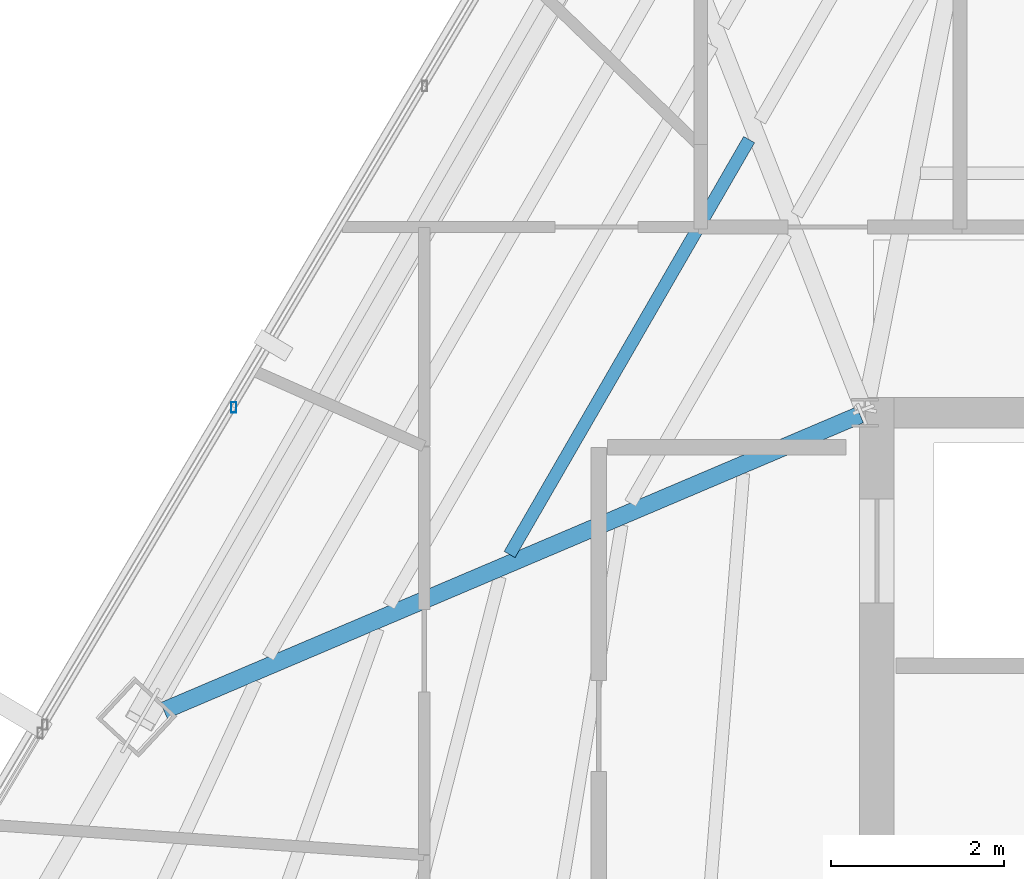
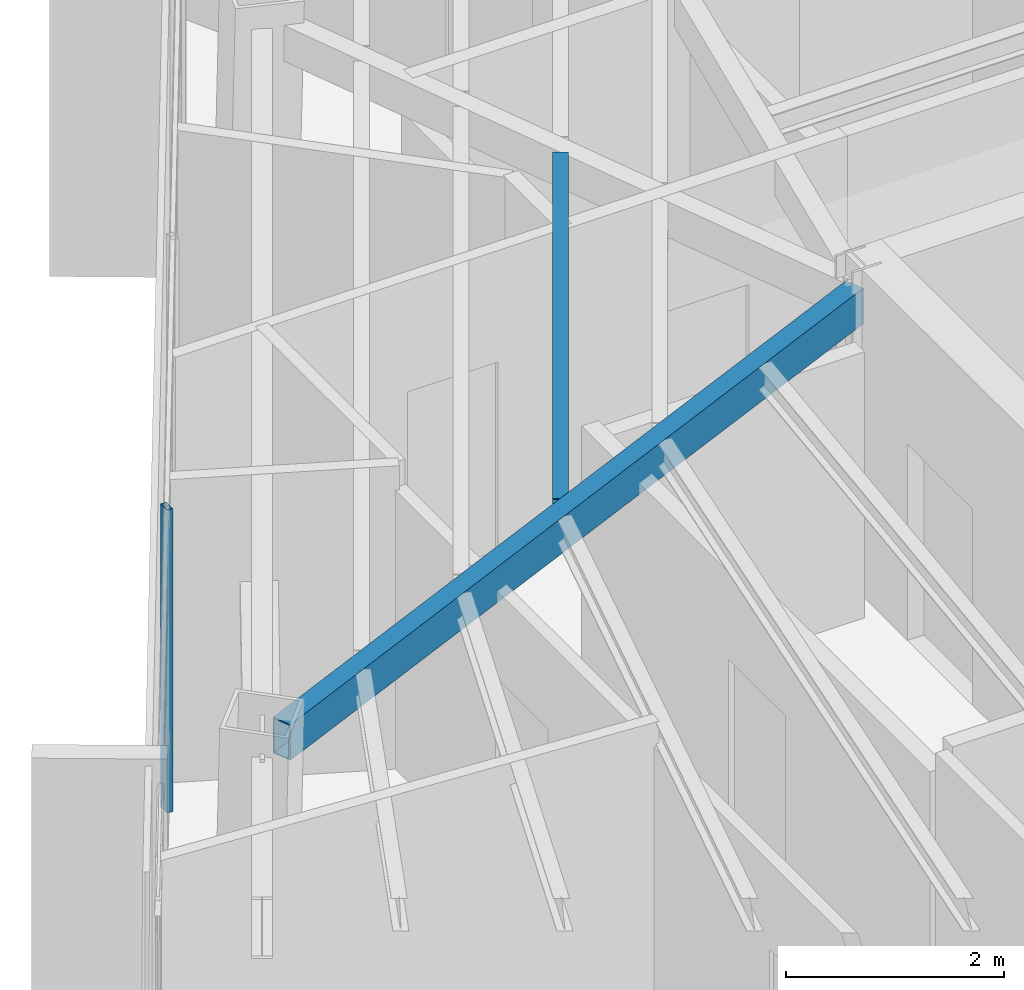
# One storey, part 17 of 46: 2 beams, 1 member, 1 element without a shape of its own.
"""IFC4 building model written with IfcOpenShell, lengths in metres."""

from ifc_helpers import new_model, si_unit, direction, frame, origin, origin_2d, place, context, subcontext, project, spatial, hollow_rectangle, i_section, extrude, source, transform, mapped, material, material_profile, profile_set, type_object, type_shapes, element, aggregate, save


model = new_model("IFC4")

# Units and contexts
model_context = context("Model", 3, precision=1e-05, world=origin(), true_north=direction((0.0, 1.0)))
body_context = subcontext(model_context, "Body", "Model", "MODEL_VIEW")
ifc_project = project(units=[si_unit("LENGTHUNIT", "METRE"), si_unit("AREAUNIT", "SQUARE_METRE"), si_unit("VOLUMEUNIT", "CUBIC_METRE"), si_unit("PLANEANGLEUNIT", "RADIAN"), si_unit("MASSUNIT", "GRAM", prefix="KILO")], contexts=[model_context])

# Site, building, storey
site_placement = place(None, origin())
site = spatial("IfcSite", under=ifc_project, at=site_placement, CompositionType="ELEMENT")
building_placement = place(site_placement, origin())
building = spatial("IfcBuilding", under=site, at=building_placement, Name="Caelisora Broadcast Tower", CompositionType="ELEMENT")
storey_placement = place(building_placement, frame((0.0, 0.0, 237.14990234375)))
storey = spatial("IfcBuildingStorey", under=building, at=storey_placement, Name="L62", CompositionType="ELEMENT", Elevation=237.14990234375)

# Beams
ifc_material_1 = material(Name="Steel Grade 350 (AS/NZS 1163 C350L0)", Category="steel")
ifc_material_profile_1 = material_profile(ifc_material_1, hollow_rectangle(XDim=0.199951171875, YDim=0.39990234375, WallThickness=0.012451171875, at=origin_2d()), Name="Steel Grade 350 (AS/NZS 1163 C350L0)")
ifc_profile_set_1 = profile_set([ifc_material_profile_1], Name="Steel Grade 350 (AS/NZS 1163 C350L0)")
beam_type_1 = type_object("IfcBeamType", Name="PG07", PredefinedType="BEAM", material=ifc_profile_set_1)
shared_shape_1 = source(origin(), body_context, "Body", "SweptSolid", [
    extrude(hollow_rectangle(XDim=0.199951171875, YDim=0.39990234375, WallThickness=0.012451171875, at=origin_2d()), origin(), (0.0, 0.0, 1.0), 8.755859375),
])
type_shapes(beam_type_1, [shared_shape_1])
beam_1_placement = place(storey_placement, frame((30.44482421875, 29.9765625, 3.2001953125), z_axis=(-0.920340704597, -0.391117613336, 0.0), x_axis=(0.391117613336, -0.920340704597, 0.0)))
element("IfcBeam", 1, at=beam_1_placement, inside=storey, type_object=beam_type_1, Name="L62 beam PG07", PredefinedType="BEAM", context=body_context, shape_type="MappedRepresentation", body=[
    mapped(shared_shape_1, transform((0.0, 0.0, 0.0), scale=1.0)),
])
ifc_material_2 = material(Name="Steel Grade 350 (AS/NZS 3679.1)", Category="steel")
ifc_material_profile_2 = material_profile(ifc_material_2, i_section(OverallWidth=0.14599609375, OverallDepth=0.256103515625, WebThickness=0.00634765625, FlangeThickness=0.010986328125, at=origin_2d()), Name="Steel Grade 350 (AS/NZS 3679.1)")
ifc_profile_set_2 = profile_set([ifc_material_profile_2], Name="Steel Grade 350 (AS/NZS 3679.1)")
beam_type_2 = type_object("IfcBeamType", Name="SB04", PredefinedType="JOIST", material=ifc_profile_set_2)
shared_shape_2 = source(origin(), body_context, "Body", "SweptSolid", [
    extrude(i_section(OverallWidth=0.14599609375, OverallDepth=0.256103515625, WebThickness=0.00634765625, FlangeThickness=0.010986328125, at=origin_2d()), origin(), (0.0, 0.0, 1.0), 5.54638671875),
])
type_shapes(beam_type_2, [shared_shape_2])
beam_2_placement = place(storey_placement, frame((29.160888671875, 33.162353515625, 3.27197265625), z_axis=(-0.500006959451, -0.866021385706, 0.0), x_axis=(0.866021385706, -0.500006959451, 0.0)))
element("IfcBeam", 2, at=beam_2_placement, inside=storey, type_object=beam_type_2, Name="L62 beam SB04", PredefinedType="JOIST", context=body_context, shape_type="MappedRepresentation", body=[
    mapped(shared_shape_2, transform((0.0, 0.0, 0.0), scale=1.0)),
])

# Curtain wall, member
ifc_material_3 = material(Name="Unitised Aluminium Insulated Shadow-Box Spandrel Curtain Wall", Category="aluminium")
curtain_wall_type = type_object("IfcCurtainWallType", Name="CW-SP3", PredefinedType="NOTDEFINED", material=ifc_material_3)
curtain_wall_placement = place(storey_placement, origin())
curtain_wall = element("IfcCurtainWall", 3, at=curtain_wall_placement, inside=storey, type_object=curtain_wall_type, Name="L62 curtain wall CW-SP3", PredefinedType="NOTDEFINED")
ifc_material_4 = material(Name="Aluminium 6063-T6 Anodised Terracotta Bronze", Category="aluminium")
ifc_material_profile_3 = material_profile(ifc_material_4, hollow_rectangle(XDim=0.06005859375, YDim=0.1201171875, WallThickness=0.0029296875, at=origin_2d()), Name="Aluminium 6063-T6 Anodised Terracotta Bronze")
ifc_profile_set_3 = profile_set([ifc_material_profile_3], Name="Aluminium 6063-T6 Anodised Terracotta Bronze")
member_type = type_object("IfcMemberType", Name="CWM-04", PredefinedType="MULLION", material=ifc_profile_set_3)
shared_shape_3 = source(origin(), body_context, "Body", "SweptSolid", [
    extrude(hollow_rectangle(XDim=0.06005859375, YDim=0.1201171875, WallThickness=0.0029296875, at=origin_2d()), origin(), (0.0, 0.0, 1.0), 3.400146484375),
])
type_shapes(member_type, [shared_shape_3])
member_placement = place(storey_placement, frame((23.194091796875, 30.062744140625, 0.0), z_axis=(0.0, 0.0, 1.0), x_axis=(1.0, 0.0, 0.0)))
member = element("IfcMember", 4, at=member_placement, type_object=member_type, Name="L62-CW-B10 mullion #1", PredefinedType="MULLION", context=body_context, shape_type="MappedRepresentation", body=[
    mapped(shared_shape_3, transform((0.0, 0.0, 0.0), scale=1.0)),
])
aggregate(curtain_wall, [member])

save(model, "model.ifc")
